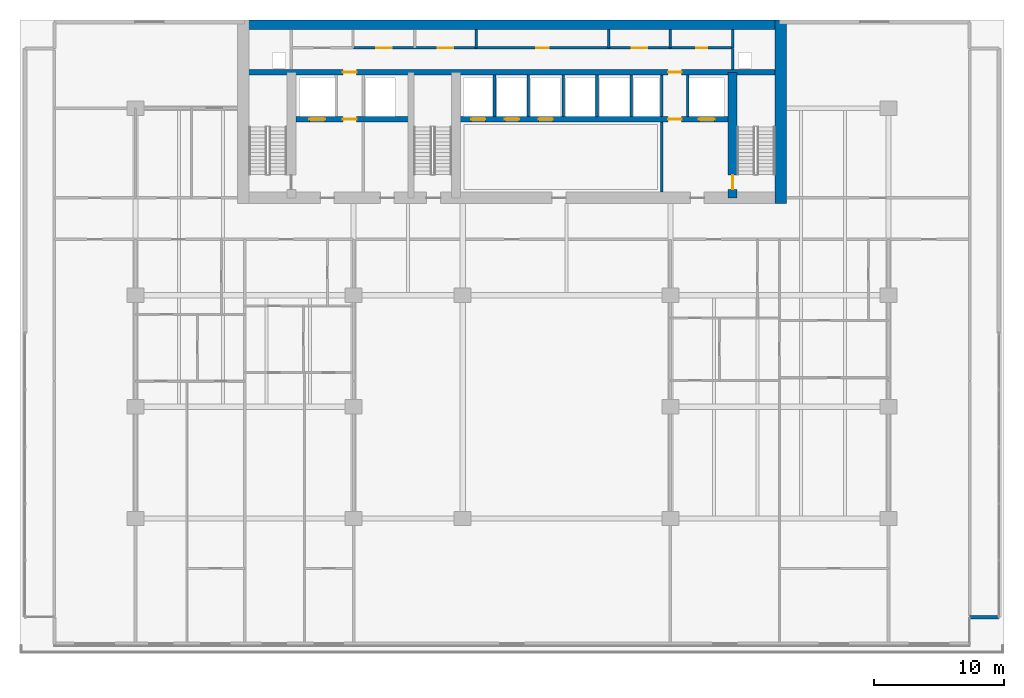
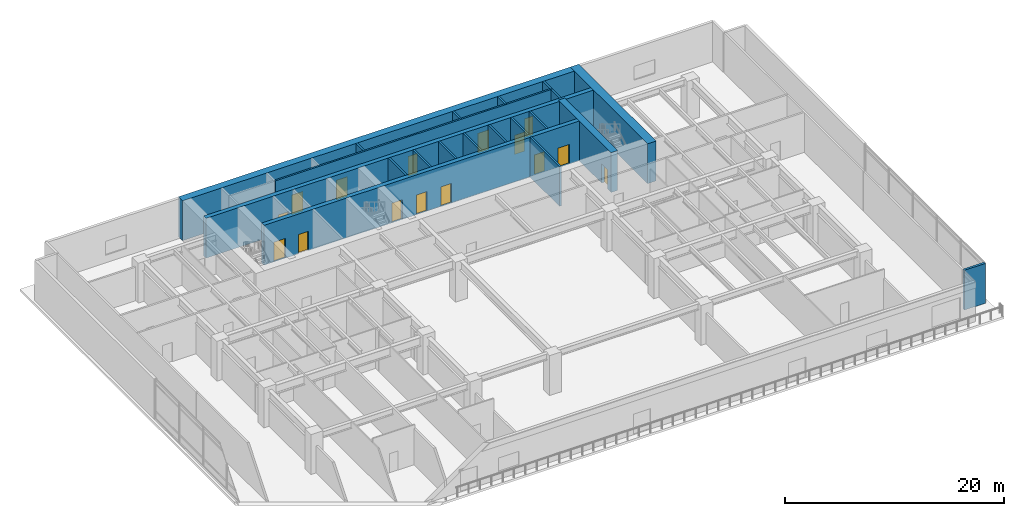
# One storey, part 9 of 13: 20 walls, 15 doors, 15 openings.
"""IFC4 building model written with IfcOpenShell, lengths in metres."""

from ifc_helpers import new_model, si_unit, direction, frame, frame_2d, origin, place, context, subcontext, project, spatial, rectangle, extrude, material, layer, layer_set, type_object, element, fill, save


model = new_model("IFC4")

# Units and contexts
model_context = context("Model", 3, precision=1e-05, world=origin(), true_north=direction((0.0, 1.0)))
body_context = subcontext(model_context, "Body", "Model", "MODEL_VIEW")
ifc_project = project(units=[si_unit("LENGTHUNIT", "METRE"), si_unit("AREAUNIT", "SQUARE_METRE"), si_unit("VOLUMEUNIT", "CUBIC_METRE"), si_unit("PLANEANGLEUNIT", "RADIAN"), si_unit("MASSUNIT", "GRAM", prefix="KILO")], contexts=[model_context])

# Site, building, storey
site_placement = place(None, origin())
site = spatial("IfcSite", under=ifc_project, at=site_placement, CompositionType="ELEMENT")
building_placement = place(site_placement, origin())
building = spatial("IfcBuilding", under=site, at=building_placement, Name="Caelmar Bay Residences", CompositionType="ELEMENT")
storey_placement = place(building_placement, frame((0.0, 0.0, 19.800048828125)))
storey = spatial("IfcBuildingStorey", under=building, at=storey_placement, Name="L04", CompositionType="ELEMENT", Elevation=19.800048828125)

# Wall, opening, door
ifc_material_1 = material(Name="Concrete f'c 55 MPa (8,000 psi)", Category="concrete")
ifc_layer_1 = layer(ifc_material_1, 0.699951171875)
ifc_layer_set_1 = layer_set([ifc_layer_1], Name="Concrete f'c 55 MPa (8,000 psi)")
wall_type_1 = type_object("IfcWallType", Name="SW-COR-700", PredefinedType="SHEAR", material=ifc_layer_set_1)
wall_1_placement = place(storey_placement, frame((55.89990234375, 36.89990234375, 0.0), z_axis=(0.0, 0.0, 1.0), x_axis=(0.0, 1.0, 0.0)))
wall_1 = element("IfcWall", 1, at=wall_1_placement, inside=storey, type_object=wall_type_1, Name="L04 Core Structural Web Wall ST2W", PredefinedType="SHEAR", context=body_context, shape_type="SweptSolid", body=[
    extrude(rectangle(XDim=9.675048828125, YDim=0.699951171875, at=frame_2d((4.83740234375, 0.0))), origin(), (0.0, 0.0, 1.0), 4.449951171875),
])
opening_1_placement = place(wall_1_placement, frame((0.64990234375, 0.0, 0.0)))
opening_1 = element("IfcOpeningElement", 2, at=opening_1_placement, cuts=wall_1, Name="Opening D-L04-111", PredefinedType="OPENING", context=body_context, shape_type="SweptSolid", body=[
    extrude(rectangle(XDim=1.10009765625, YDim=2.14990234375, at=frame_2d((0.550048828125, 1.074951171875))), frame((0.0, 0.35986328125, 0.0), z_axis=(0.0, -1.0, 0.0), x_axis=(1.0, 0.0, 0.0)), (0.0, 0.0, 1.0), 0.719970703125),
])
ifc_material_2 = material(Name="Fire-rated steel and walnut architectural door assembly", Category="steel")
ifc_layer_2 = layer(ifc_material_2, 0.050048828125)
ifc_layer_set_2 = layer_set([ifc_layer_2], Name="Fire-rated steel and walnut architectural door assembly")
door_type_1 = type_object("IfcDoorType", Name="D-STAIR-1100", OperationType="NOTDEFINED", PredefinedType="DOOR", material=ifc_layer_set_2)
door_1_placement = place(opening_1_placement, origin())
door_1 = element("IfcDoor", 3, at=door_1_placement, inside=storey, type_object=door_type_1, Name="L04 Firefighting Lobby East Door", OperationType="SINGLE_SWING_LEFT", OverallHeight=2.14990234375, OverallWidth=1.10009765625, PredefinedType="DOOR", context=body_context, shape_type="SweptSolid", body=[
    extrude(rectangle(XDim=1.10009765625, YDim=2.14990234375, at=frame_2d((0.550048828125, 1.074951171875))), frame((0.0, 0.02490234375, 0.0), z_axis=(0.0, -1.0, 0.0), x_axis=(1.0, 0.0, 0.0)), (0.0, 0.0, 1.0), 0.050048828125),
])
fill(opening_1, door_1)

# Walls
ifc_material_3 = material(Name="Concrete f'c 70 MPa (10,000 psi)", Category="concrete")
ifc_layer_3 = layer(ifc_material_3, 0.89990234375)
ifc_layer_set_3 = layer_set([ifc_layer_3], Name="Concrete f'c 70 MPa (10,000 psi)")
wall_type_2 = type_object("IfcWallType", Name="SW-COR-900", PredefinedType="SHEAR", material=ifc_layer_set_3)
wall_2_placement = place(storey_placement, frame((59.60009765625, 36.449951171875, 0.0), z_axis=(0.0, 0.0, 1.0), x_axis=(0.0, 1.0, 0.0)))
element("IfcWall", 4, at=wall_2_placement, inside=storey, type_object=wall_type_2, Name="L04 Rear Core East Shear Wall", PredefinedType="SHEAR", context=body_context, shape_type="SweptSolid", body=[
    extrude(rectangle(XDim=14.150146484375, YDim=0.89990234375, at=frame_2d((7.0751953125, 0.0))), origin(), (0.0, 0.0, 1.0), 4.449951171875),
])
ifc_layer_4 = layer(ifc_material_3, 0.75)
ifc_layer_set_4 = layer_set([ifc_layer_4], Name="Concrete f'c 70 MPa (10,000 psi)")
wall_type_3 = type_object("IfcWallType", Name="SW-CORN-750", PredefinedType="SHEAR", material=ifc_layer_set_4)
wall_3_placement = place(storey_placement, frame((17.75, 50.22509765625, 0.0), z_axis=(0.0, 0.0, 1.0), x_axis=(1.0, 0.0, 0.0)))
element("IfcWall", 5, at=wall_3_placement, inside=storey, type_object=wall_type_3, Name="L04 Rear Core North Shear Wall", PredefinedType="SHEAR", context=body_context, shape_type="SweptSolid", body=[
    extrude(rectangle(XDim=42.300048828125, YDim=0.75, at=frame_2d((21.14990234375, 0.0))), origin(), (0.0, 0.0, 1.0), 4.449951171875),
])

# Wall, openings, doors
ifc_layer_5 = layer(ifc_material_3, 0.449951171875)
ifc_layer_set_5 = layer_set([ifc_layer_5], Name="Concrete f'c 70 MPa (10,000 psi)")
wall_type_4 = type_object("IfcWallType", Name="SW-WEB-450", PredefinedType="SHEAR", material=ifc_layer_set_5)
wall_4_placement = place(storey_placement, frame((22.25, 42.949951171875, 0.0), z_axis=(0.0, 0.0, 1.0), x_axis=(1.0, 0.0, 0.0)))
wall_4 = element("IfcWall", 6, at=wall_4_placement, inside=storey, type_object=wall_type_4, Name="L04 Core Structural Web Wall LFR", PredefinedType="SHEAR", context=body_context, shape_type="SweptSolid", body=[
    extrude(rectangle(XDim=33.300048828125, YDim=0.449951171875, at=frame_2d((16.64990234375, 0.0))), origin(), (0.0, 0.0, 1.0), 4.449951171875),
])
opening_2_placement = place(wall_4_placement, frame((1.050048828125, 0.0, 0.0)))
opening_2 = element("IfcOpeningElement", 7, at=opening_2_placement, cuts=wall_4, Name="Opening LD2", PredefinedType="OPENING", context=body_context, shape_type="SweptSolid", body=[
    extrude(rectangle(XDim=1.199951171875, YDim=2.199951171875, at=frame_2d((0.60009765625, 1.10009765625))), frame((0.0, 0.23486328125, 0.0), z_axis=(0.0, -1.0, 0.0), x_axis=(1.0, 0.0, 0.0)), (0.0, 0.0, 1.0), 0.469970703125),
])
opening_3_placement = place(wall_4_placement, frame((31.050048828125, 0.0, 0.0)))
opening_3 = element("IfcOpeningElement", 8, at=opening_3_placement, cuts=wall_4, Name="Opening LD2", PredefinedType="OPENING", context=body_context, shape_type="SweptSolid", body=[
    extrude(rectangle(XDim=1.199951171875, YDim=2.199951171875, at=frame_2d((0.60009765625, 1.10009765625))), frame((0.0, 0.23486328125, 0.0), z_axis=(0.0, -1.0, 0.0), x_axis=(1.0, 0.0, 0.0)), (0.0, 0.0, 1.0), 0.469970703125),
])
opening_4_placement = place(wall_4_placement, frame((13.5, 0.0, 0.0)))
opening_4 = element("IfcOpeningElement", 9, at=opening_4_placement, cuts=wall_4, Name="Opening LD1", PredefinedType="OPENING", context=body_context, shape_type="SweptSolid", body=[
    extrude(rectangle(XDim=1.10009765625, YDim=2.199951171875, at=frame_2d((0.550048828125, 1.10009765625))), frame((0.0, 0.23486328125, 0.0), z_axis=(0.0, -1.0, 0.0), x_axis=(1.0, 0.0, 0.0)), (0.0, 0.0, 1.0), 0.469970703125),
])
opening_5_placement = place(wall_4_placement, frame((16.10009765625, 0.0, 0.0)))
opening_5 = element("IfcOpeningElement", 10, at=opening_5_placement, cuts=wall_4, Name="Opening LD1", PredefinedType="OPENING", context=body_context, shape_type="SweptSolid", body=[
    extrude(rectangle(XDim=1.10009765625, YDim=2.199951171875, at=frame_2d((0.550048828125, 1.10009765625))), frame((0.0, 0.23486328125, 0.0), z_axis=(0.0, -1.0, 0.0), x_axis=(1.0, 0.0, 0.0)), (0.0, 0.0, 1.0), 0.469970703125),
])
opening_6_placement = place(wall_4_placement, frame((18.699951171875, 0.0, 0.0)))
opening_6 = element("IfcOpeningElement", 11, at=opening_6_placement, cuts=wall_4, Name="Opening LD1", PredefinedType="OPENING", context=body_context, shape_type="SweptSolid", body=[
    extrude(rectangle(XDim=1.10009765625, YDim=2.199951171875, at=frame_2d((0.550048828125, 1.10009765625))), frame((0.0, 0.23486328125, 0.0), z_axis=(0.0, -1.0, 0.0), x_axis=(1.0, 0.0, 0.0)), (0.0, 0.0, 1.0), 0.469970703125),
])
opening_7_placement = place(wall_4_placement, frame((3.625, 0.0, 0.0)))
opening_7 = element("IfcOpeningElement", 12, at=opening_7_placement, cuts=wall_4, Name="Opening D-L04-109", PredefinedType="OPENING", context=body_context, shape_type="SweptSolid", body=[
    extrude(rectangle(XDim=1.050048828125, YDim=2.14990234375, at=frame_2d((0.52490234375, 1.074951171875))), frame((0.0, 0.23486328125, 0.0), z_axis=(0.0, -1.0, 0.0), x_axis=(1.0, 0.0, 0.0)), (0.0, 0.0, 1.0), 0.469970703125),
])
opening_8_placement = place(wall_4_placement, frame((28.675048828125, 0.0, 0.0)))
opening_8 = element("IfcOpeningElement", 13, at=opening_8_placement, cuts=wall_4, Name="Opening D-L04-112", PredefinedType="OPENING", context=body_context, shape_type="SweptSolid", body=[
    extrude(rectangle(XDim=1.050048828125, YDim=2.14990234375, at=frame_2d((0.52490234375, 1.074951171875))), frame((0.0, 0.23486328125, 0.0), z_axis=(0.0, -1.0, 0.0), x_axis=(1.0, 0.0, 0.0)), (0.0, 0.0, 1.0), 0.469970703125),
])
ifc_layer_6 = layer(ifc_material_2, 0.050048828125)
ifc_layer_set_6 = layer_set([ifc_layer_6], Name="Fire-rated steel and walnut architectural door assembly")
door_type_2 = type_object("IfcDoorType", Name="D-FSAE-1050", OperationType="NOTDEFINED", PredefinedType="DOOR", material=ifc_layer_set_6)
door_2_placement = place(opening_7_placement, origin())
door_2 = element("IfcDoor", 14, at=door_2_placement, inside=storey, type_object=door_type_2, Name="L04 Firefighting Lobby West Door", OperationType="SINGLE_SWING_LEFT", OverallHeight=2.14990234375, OverallWidth=1.050048828125, PredefinedType="DOOR", context=body_context, shape_type="SweptSolid", body=[
    extrude(rectangle(XDim=1.050048828125, YDim=2.14990234375, at=frame_2d((0.52490234375, 1.074951171875))), frame((0.0, 0.02490234375, 0.0), z_axis=(0.0, -1.0, 0.0), x_axis=(1.0, 0.0, 0.0)), (0.0, 0.0, 1.0), 0.050048828125),
])
fill(opening_7, door_2)
door_3_placement = place(opening_8_placement, origin())
door_3 = element("IfcDoor", 15, at=door_3_placement, inside=storey, type_object=door_type_2, Name="L04 Firefighting Lobby East Door", OperationType="SINGLE_SWING_RIGHT", OverallHeight=2.14990234375, OverallWidth=1.050048828125, PredefinedType="DOOR", context=body_context, shape_type="SweptSolid", body=[
    extrude(rectangle(XDim=1.050048828125, YDim=2.14990234375, at=frame_2d((0.52490234375, 1.074951171875))), frame((0.0, 0.02490234375, 0.0), z_axis=(0.0, -1.0, 0.0), x_axis=(1.0, 0.0, 0.0)), (0.0, 0.0, 1.0), 0.050048828125),
])
fill(opening_8, door_3)
ifc_material_4 = material(Name="Brushed bronze stainless-steel fire-rated lift landing doors", Category="steel")
ifc_layer_7 = layer(ifc_material_4, 0.050048828125)
ifc_layer_set_7 = layer_set([ifc_layer_7], Name="Brushed bronze stainless-steel fire-rated lift landing doors")
door_type_3 = type_object("IfcDoorType", Name="D-LND-1100", OperationType="DOUBLE_DOOR_SLIDING", PredefinedType="DOOR", material=ifc_layer_set_7)
door_4_placement = place(opening_4_placement, origin())
door_4 = element("IfcDoor", 16, at=door_4_placement, inside=storey, type_object=door_type_3, Name="L04 LP1 Sliding Landing Door", OperationType="DOUBLE_DOOR_SLIDING", OverallHeight=2.199951171875, OverallWidth=1.10009765625, PredefinedType="DOOR", context=body_context, shape_type="SweptSolid", body=[
    extrude(rectangle(XDim=1.10009765625, YDim=2.199951171875, at=frame_2d((0.550048828125, 1.10009765625))), frame((0.0, 0.02490234375, 0.0), z_axis=(0.0, -1.0, 0.0), x_axis=(1.0, 0.0, 0.0)), (0.0, 0.0, 1.0), 0.050048828125),
])
fill(opening_4, door_4)
door_5_placement = place(opening_5_placement, origin())
door_5 = element("IfcDoor", 17, at=door_5_placement, inside=storey, type_object=door_type_3, Name="L04 LP2 Sliding Landing Door", OperationType="DOUBLE_DOOR_SLIDING", OverallHeight=2.199951171875, OverallWidth=1.10009765625, PredefinedType="DOOR", context=body_context, shape_type="SweptSolid", body=[
    extrude(rectangle(XDim=1.10009765625, YDim=2.199951171875, at=frame_2d((0.550048828125, 1.10009765625))), frame((0.0, 0.02490234375, 0.0), z_axis=(0.0, -1.0, 0.0), x_axis=(1.0, 0.0, 0.0)), (0.0, 0.0, 1.0), 0.050048828125),
])
fill(opening_5, door_5)
door_6_placement = place(opening_6_placement, origin())
door_6 = element("IfcDoor", 18, at=door_6_placement, inside=storey, type_object=door_type_3, Name="L04 LP3 Sliding Landing Door", OperationType="DOUBLE_DOOR_SLIDING", OverallHeight=2.199951171875, OverallWidth=1.10009765625, PredefinedType="DOOR", context=body_context, shape_type="SweptSolid", body=[
    extrude(rectangle(XDim=1.10009765625, YDim=2.199951171875, at=frame_2d((0.550048828125, 1.10009765625))), frame((0.0, 0.02490234375, 0.0), z_axis=(0.0, -1.0, 0.0), x_axis=(1.0, 0.0, 0.0)), (0.0, 0.0, 1.0), 0.050048828125),
])
fill(opening_6, door_6)
ifc_material_5 = material(Name="Brushed stainless-steel FSAE sliding landing door", Category="steel")
ifc_layer_8 = layer(ifc_material_5, 0.050048828125)
ifc_layer_set_8 = layer_set([ifc_layer_8], Name="Brushed stainless-steel FSAE sliding landing door")
door_type_4 = type_object("IfcDoorType", Name="D-LND-1200", OperationType="DOUBLE_DOOR_SLIDING", PredefinedType="DOOR", material=ifc_layer_set_8)
door_7_placement = place(opening_2_placement, origin())
door_7 = element("IfcDoor", 19, at=door_7_placement, inside=storey, type_object=door_type_4, Name="L04 LF1 Sliding Landing Door", OperationType="DOUBLE_DOOR_SLIDING", OverallHeight=2.199951171875, OverallWidth=1.199951171875, PredefinedType="DOOR", context=body_context, shape_type="SweptSolid", body=[
    extrude(rectangle(XDim=1.199951171875, YDim=2.199951171875, at=frame_2d((0.60009765625, 1.10009765625))), frame((0.0, 0.02490234375, 0.0), z_axis=(0.0, -1.0, 0.0), x_axis=(1.0, 0.0, 0.0)), (0.0, 0.0, 1.0), 0.050048828125),
])
fill(opening_2, door_7)
door_8_placement = place(opening_3_placement, origin())
door_8 = element("IfcDoor", 20, at=door_8_placement, inside=storey, type_object=door_type_4, Name="L04 LF2 Sliding Landing Door", OperationType="DOUBLE_DOOR_SLIDING", OverallHeight=2.199951171875, OverallWidth=1.199951171875, PredefinedType="DOOR", context=body_context, shape_type="SweptSolid", body=[
    extrude(rectangle(XDim=1.199951171875, YDim=2.199951171875, at=frame_2d((0.60009765625, 1.10009765625))), frame((0.0, 0.02490234375, 0.0), z_axis=(0.0, -1.0, 0.0), x_axis=(1.0, 0.0, 0.0)), (0.0, 0.0, 1.0), 0.050048828125),
])
fill(opening_3, door_8)

wall_5_placement = place(storey_placement, frame((18.199951171875, 46.574951171875, 0.0), z_axis=(0.0, 0.0, 1.0), x_axis=(1.0, 0.0, 0.0)))
wall_5 = element("IfcWall", 21, at=wall_5_placement, inside=storey, type_object=wall_type_4, Name="L04 Core Structural Web Wall SRVS", PredefinedType="SHEAR", context=body_context, shape_type="SweptSolid", body=[
    extrude(rectangle(XDim=41.400146484375, YDim=0.449951171875, at=frame_2d((20.7001953125, 0.0))), origin(), (0.0, 0.0, 1.0), 4.449951171875),
])
opening_9_placement = place(wall_5_placement, frame((7.675048828125, 0.0, 0.0)))
opening_9 = element("IfcOpeningElement", 22, at=opening_9_placement, cuts=wall_5, Name="Opening D-L04-115", PredefinedType="OPENING", context=body_context, shape_type="SweptSolid", body=[
    extrude(rectangle(XDim=1.050048828125, YDim=2.14990234375, at=frame_2d((0.52490234375, 1.074951171875))), frame((0.0, 0.23486328125, 0.0), z_axis=(0.0, -1.0, 0.0), x_axis=(1.0, 0.0, 0.0)), (0.0, 0.0, 1.0), 0.469970703125),
])
opening_10_placement = place(wall_5_placement, frame((32.72509765625, 0.0, 0.0)))
opening_10 = element("IfcOpeningElement", 23, at=opening_10_placement, cuts=wall_5, Name="Opening D-L04-116", PredefinedType="OPENING", context=body_context, shape_type="SweptSolid", body=[
    extrude(rectangle(XDim=1.050048828125, YDim=2.14990234375, at=frame_2d((0.52490234375, 1.074951171875))), frame((0.0, 0.23486328125, 0.0), z_axis=(0.0, -1.0, 0.0), x_axis=(1.0, 0.0, 0.0)), (0.0, 0.0, 1.0), 0.469970703125),
])
door_9_placement = place(opening_9_placement, origin())
door_9 = element("IfcDoor", 24, at=door_9_placement, inside=storey, type_object=door_type_2, Name="L04 Core Service Corridor Door", OperationType="SINGLE_SWING_LEFT", OverallHeight=2.14990234375, OverallWidth=1.050048828125, PredefinedType="DOOR", context=body_context, shape_type="SweptSolid", body=[
    extrude(rectangle(XDim=1.050048828125, YDim=2.14990234375, at=frame_2d((0.52490234375, 1.074951171875))), frame((0.0, 0.02490234375, 0.0), z_axis=(0.0, -1.0, 0.0), x_axis=(1.0, 0.0, 0.0)), (0.0, 0.0, 1.0), 0.050048828125),
])
fill(opening_9, door_9)
door_10_placement = place(opening_10_placement, origin())
door_10 = element("IfcDoor", 25, at=door_10_placement, inside=storey, type_object=door_type_2, Name="L04 Core Service Corridor Door", OperationType="SINGLE_SWING_RIGHT", OverallHeight=2.14990234375, OverallWidth=1.050048828125, PredefinedType="DOOR", context=body_context, shape_type="SweptSolid", body=[
    extrude(rectangle(XDim=1.050048828125, YDim=2.14990234375, at=frame_2d((0.52490234375, 1.074951171875))), frame((0.0, 0.02490234375, 0.0), z_axis=(0.0, -1.0, 0.0), x_axis=(1.0, 0.0, 0.0)), (0.0, 0.0, 1.0), 0.050048828125),
])
fill(opening_10, door_10)

# Walls
ifc_material_6 = material(Name="Double-stud acoustic fire-rated gypsum partition 180 mm")
ifc_layer_9 = layer(ifc_material_6, 0.179931640625)
ifc_layer_set_9 = layer_set([ifc_layer_9], Name="Double-stud acoustic fire-rated gypsum partition 180 mm")
wall_type_5 = type_object("IfcWallType", Name="W-COR-200", PredefinedType="PARTITIONING", material=ifc_layer_set_9)
for number, where, z_axis, x_axis, name in (
    (26, (36.14990234375, 48.449951171875, 0.0), (0.0, 0.0, 1.0), (0.0, 1.0, 0.0), "L04 Partition Wall V025"),
    (27, (46.35009765625, 48.449951171875, 0.0), (0.0, 0.0, 1.0), (0.0, 1.0, 0.0), "L04 Partition Wall V030"),
    (28, (51.10009765625, 48.449951171875, 0.0), (0.0, 0.0, 1.0), (0.0, 1.0, 0.0), "L04 Partition Wall V036"),
):
    element("IfcWall", number, at=place(storey_placement, frame(where, z_axis=z_axis, x_axis=x_axis)), inside=storey, type_object=wall_type_5, Name=name, PredefinedType="PARTITIONING", context=body_context, shape_type="SweptSolid", body=[
        extrude(rectangle(XDim=1.405029296875, YDim=0.179931640625, at=frame_2d((0.70263671875, 0.0))), origin(), (0.0, 0.0, 1.0), 4.449951171875),
    ])

# Wall, openings, doors
wall_6_placement = place(storey_placement, frame((26.699951171875, 48.449951171875, 0.0), z_axis=(0.0, 0.0, 1.0), x_axis=(1.0, 0.0, 0.0)))
wall_6 = element("IfcWall", 29, at=wall_6_placement, inside=storey, type_object=wall_type_5, Name="L04 Partition Wall H066", PredefinedType="PARTITIONING", context=body_context, shape_type="SweptSolid", body=[
    extrude(rectangle(XDim=29.199951171875, YDim=0.179931640625, at=frame_2d((14.60009765625, 0.0))), origin(), (0.0, 0.0, 1.0), 4.449951171875),
])
opening_11_placement = place(wall_6_placement, frame((1.75, 0.0, 0.0)))
opening_11 = element("IfcOpeningElement", 30, at=opening_11_placement, cuts=wall_6, Name="Opening D-L04-118", PredefinedType="OPENING", context=body_context, shape_type="SweptSolid", body=[
    extrude(rectangle(XDim=1.199951171875, YDim=2.199951171875, at=frame_2d((0.60009765625, 1.10009765625))), frame((0.0, 0.099853515625, 0.0), z_axis=(0.0, -1.0, 0.0), x_axis=(1.0, 0.0, 0.0)), (0.0, 0.0, 1.0), 0.199951171875),
])
opening_12_placement = place(wall_6_placement, frame((6.47509765625, 0.0, 0.0)))
opening_12 = element("IfcOpeningElement", 31, at=opening_12_placement, cuts=wall_6, Name="Opening D-L04-119", PredefinedType="OPENING", context=body_context, shape_type="SweptSolid", body=[
    extrude(rectangle(XDim=1.199951171875, YDim=2.199951171875, at=frame_2d((0.60009765625, 1.10009765625))), frame((0.0, 0.099853515625, 0.0), z_axis=(0.0, -1.0, 0.0), x_axis=(1.0, 0.0, 0.0)), (0.0, 0.0, 1.0), 0.199951171875),
])
opening_13_placement = place(wall_6_placement, frame((14.050048828125, 0.0, 0.0)))
opening_13 = element("IfcOpeningElement", 32, at=opening_13_placement, cuts=wall_6, Name="Opening D-L04-120", PredefinedType="OPENING", context=body_context, shape_type="SweptSolid", body=[
    extrude(rectangle(XDim=1.0, YDim=2.199951171875, at=frame_2d((0.5, 1.10009765625))), frame((0.0, 0.099853515625, 0.0), z_axis=(0.0, -1.0, 0.0), x_axis=(1.0, 0.0, 0.0)), (0.0, 0.0, 1.0), 0.199951171875),
])
opening_14_placement = place(wall_6_placement, frame((21.425048828125, 0.0, 0.0)))
opening_14 = element("IfcOpeningElement", 33, at=opening_14_placement, cuts=wall_6, Name="Opening D-L04-121", PredefinedType="OPENING", context=body_context, shape_type="SweptSolid", body=[
    extrude(rectangle(XDim=1.199951171875, YDim=2.199951171875, at=frame_2d((0.60009765625, 1.10009765625))), frame((0.0, 0.099853515625, 0.0), z_axis=(0.0, -1.0, 0.0), x_axis=(1.0, 0.0, 0.0)), (0.0, 0.0, 1.0), 0.199951171875),
])
opening_15_placement = place(wall_6_placement, frame((26.375, 0.0, 0.0)))
opening_15 = element("IfcOpeningElement", 34, at=opening_15_placement, cuts=wall_6, Name="Opening D-L04-122", PredefinedType="OPENING", context=body_context, shape_type="SweptSolid", body=[
    extrude(rectangle(XDim=0.85009765625, YDim=2.10009765625, at=frame_2d((0.425048828125, 1.050048828125))), frame((0.0, 0.099853515625, 0.0), z_axis=(0.0, -1.0, 0.0), x_axis=(1.0, 0.0, 0.0)), (0.0, 0.0, 1.0), 0.199951171875),
])
ifc_layer_10 = layer(ifc_material_2, 0.050048828125)
ifc_layer_set_10 = layer_set([ifc_layer_10], Name="Fire-rated steel and walnut architectural door assembly")
door_type_5 = type_object("IfcDoorType", Name="D-CORE-850", OperationType="NOTDEFINED", PredefinedType="DOOR", material=ifc_layer_set_10)
door_11_placement = place(opening_15_placement, origin())
door_11 = element("IfcDoor", 35, at=door_11_placement, inside=storey, type_object=door_type_5, Name="L04 Staff Restroom Door", OperationType="SINGLE_SWING_RIGHT", OverallHeight=2.10009765625, OverallWidth=0.85009765625, PredefinedType="DOOR", context=body_context, shape_type="SweptSolid", body=[
    extrude(rectangle(XDim=0.85009765625, YDim=2.10009765625, at=frame_2d((0.425048828125, 1.050048828125))), frame((0.0, 0.02490234375, 0.0), z_axis=(0.0, -1.0, 0.0), x_axis=(1.0, 0.0, 0.0)), (0.0, 0.0, 1.0), 0.050048828125),
])
fill(opening_15, door_11)
ifc_layer_11 = layer(ifc_material_2, 0.050048828125)
ifc_layer_set_11 = layer_set([ifc_layer_11], Name="Fire-rated steel and walnut architectural door assembly")
door_type_6 = type_object("IfcDoorType", Name="D-PLANT-1200", OperationType="NOTDEFINED", PredefinedType="DOOR", material=ifc_layer_set_11)
door_12_placement = place(opening_11_placement, origin())
door_12 = element("IfcDoor", 36, at=door_12_placement, inside=storey, type_object=door_type_6, Name="L04 Water Meter Closet Door", OperationType="SINGLE_SWING_RIGHT", OverallHeight=2.199951171875, OverallWidth=1.199951171875, PredefinedType="DOOR", context=body_context, shape_type="SweptSolid", body=[
    extrude(rectangle(XDim=1.199951171875, YDim=2.199951171875, at=frame_2d((0.60009765625, 1.10009765625))), frame((0.0, 0.02490234375, 0.0), z_axis=(0.0, -1.0, 0.0), x_axis=(1.0, 0.0, 0.0)), (0.0, 0.0, 1.0), 0.050048828125),
])
fill(opening_11, door_12)
door_13_placement = place(opening_12_placement, origin())
door_13 = element("IfcDoor", 37, at=door_13_placement, inside=storey, type_object=door_type_6, Name="L04 Low-Voltage Data Closet Door", OperationType="SINGLE_SWING_LEFT", OverallHeight=2.199951171875, OverallWidth=1.199951171875, PredefinedType="DOOR", context=body_context, shape_type="SweptSolid", body=[
    extrude(rectangle(XDim=1.199951171875, YDim=2.199951171875, at=frame_2d((0.60009765625, 1.10009765625))), frame((0.0, 0.02490234375, 0.0), z_axis=(0.0, -1.0, 0.0), x_axis=(1.0, 0.0, 0.0)), (0.0, 0.0, 1.0), 0.050048828125),
])
fill(opening_12, door_13)
door_14_placement = place(opening_14_placement, origin())
door_14 = element("IfcDoor", 38, at=door_14_placement, inside=storey, type_object=door_type_6, Name="L04 Valet Trunk Closet Door", OperationType="SINGLE_SWING_LEFT", OverallHeight=2.199951171875, OverallWidth=1.199951171875, PredefinedType="DOOR", context=body_context, shape_type="SweptSolid", body=[
    extrude(rectangle(XDim=1.199951171875, YDim=2.199951171875, at=frame_2d((0.60009765625, 1.10009765625))), frame((0.0, 0.02490234375, 0.0), z_axis=(0.0, -1.0, 0.0), x_axis=(1.0, 0.0, 0.0)), (0.0, 0.0, 1.0), 0.050048828125),
])
fill(opening_14, door_14)
ifc_layer_12 = layer(ifc_material_2, 0.050048828125)
ifc_layer_set_12 = layer_set([ifc_layer_12], Name="Fire-rated steel and walnut architectural door assembly")
door_type_7 = type_object("IfcDoorType", Name="D-UNIT-1000", OperationType="NOTDEFINED", PredefinedType="DOOR", material=ifc_layer_set_12)
door_15_placement = place(opening_13_placement, origin())
door_15 = element("IfcDoor", 39, at=door_15_placement, inside=storey, type_object=door_type_7, Name="L04 Mail Sorting Office Door", OperationType="SINGLE_SWING_RIGHT", OverallHeight=2.199951171875, OverallWidth=1.0, PredefinedType="DOOR", context=body_context, shape_type="SweptSolid", body=[
    extrude(rectangle(XDim=1.0, YDim=2.199951171875, at=frame_2d((0.5, 1.10009765625))), frame((0.0, 0.02490234375, 0.0), z_axis=(0.0, -1.0, 0.0), x_axis=(1.0, 0.0, 0.0)), (0.0, 0.0, 1.0), 0.050048828125),
])
fill(opening_13, door_15)

# Walls
ifc_material_7 = material(Name="Precast concrete f'c 40 MPa (6,000 psi)", Category="concrete")
ifc_layer_13 = layer(ifc_material_7, 0.25)
ifc_layer_set_13 = layer_set([ifc_layer_13], Name="Precast concrete f'c 40 MPa (6,000 psi)")
wall_type_6 = type_object("IfcWallType", Name="W-EXT-250", PredefinedType="ELEMENTEDWALL", material=ifc_layer_set_13)
wall_7_placement = place(storey_placement, frame((74.14990234375, 4.60009765625, 0.0), z_axis=(0.0, 0.0, 1.0), x_axis=(1.0, 0.0, 0.0)))
element("IfcWall", 40, at=wall_7_placement, inside=storey, type_object=wall_type_6, Name="L04 SE Notch Return Wall", PredefinedType="ELEMENTEDWALL", context=body_context, shape_type="SweptSolid", body=[
    extrude(rectangle(XDim=2.25, YDim=0.25, at=frame_2d((1.125, 0.0))), origin(), (0.0, 0.0, 1.0), 4.449951171875),
])
ifc_material_8 = material(Name="Fire-rated masonry and gypsum shaftliner assembly 200 mm", Category="masonry")
ifc_layer_14 = layer(ifc_material_8, 0.199951171875)
ifc_layer_set_14 = layer_set([ifc_layer_14], Name="Fire-rated masonry and gypsum shaftliner assembly 200 mm")
wall_type_7 = type_object("IfcWallType", Name="W-FSAE-200", PredefinedType="PARTITIONING", material=ifc_layer_set_14)
for number, where, z_axis, x_axis, name in (
    (41, (37.550048828125, 43.169921875, 0.0), (0.0, 0.0, 1.0), (0.0, 1.0, 0.0), "L04 Partition Wall V026"),
    (42, (40.14990234375, 43.169921875, 0.0), (0.0, 0.0, 1.0), (0.0, 1.0, 0.0), "L04 Partition Wall V027"),
    (43, (42.85009765625, 43.169921875, 0.0), (0.0, 0.0, 1.0), (0.0, 1.0, 0.0), "L04 Partition Wall V028"),
    (44, (45.449951171875, 43.169921875, 0.0), (0.0, 0.0, 1.0), (0.0, 1.0, 0.0), "L04 Partition Wall V029"),
    (45, (48.10009765625, 43.169921875, 0.0), (0.0, 0.0, 1.0), (0.0, 1.0, 0.0), "L04 Partition Wall V031"),
):
    element("IfcWall", number, at=place(storey_placement, frame(where, z_axis=z_axis, x_axis=x_axis)), inside=storey, type_object=wall_type_7, Name=name, PredefinedType="PARTITIONING", context=body_context, shape_type="SweptSolid", body=[
        extrude(rectangle(XDim=3.18505859375, YDim=0.199951171875, at=frame_2d((1.592529296875, 0.0))), origin(), (0.0, 0.0, 1.0), 4.449951171875),
    ])
wall_8_placement = place(storey_placement, frame((50.449951171875, 37.344970703125, 0.0), z_axis=(0.0, 0.0, 1.0), x_axis=(0.0, 1.0, 0.0)))
element("IfcWall", 46, at=wall_8_placement, inside=storey, type_object=wall_type_7, Name="L04 Partition Wall V032", PredefinedType="PARTITIONING", context=body_context, shape_type="SweptSolid", body=[
    extrude(rectangle(XDim=5.385009765625, YDim=0.199951171875, at=frame_2d((2.6923828125, 0.0))), origin(), (0.0, 0.0, 1.0), 4.449951171875),
])
for number, where, z_axis, x_axis, name in (
    (47, (50.449951171875, 43.169921875, 0.0), (0.0, 0.0, 1.0), (0.0, 1.0, 0.0), "L04 Partition Wall V033"),
    (48, (52.449951171875, 43.169921875, 0.0), (0.0, 0.0, 1.0), (0.0, 1.0, 0.0), "L04 Partition Wall V037"),
):
    element("IfcWall", number, at=place(storey_placement, frame(where, z_axis=z_axis, x_axis=x_axis)), inside=storey, type_object=wall_type_7, Name=name, PredefinedType="PARTITIONING", context=body_context, shape_type="SweptSolid", body=[
        extrude(rectangle(XDim=3.18505859375, YDim=0.199951171875, at=frame_2d((1.592529296875, 0.0))), origin(), (0.0, 0.0, 1.0), 4.449951171875),
    ])
wall_9_placement = place(storey_placement, frame((55.89990234375, 46.794921875, 0.0), z_axis=(0.0, 0.0, 1.0), x_axis=(0.0, 1.0, 0.0)))
element("IfcWall", 49, at=wall_9_placement, inside=storey, type_object=wall_type_7, Name="L04 Partition Wall V039", PredefinedType="PARTITIONING", context=body_context, shape_type="SweptSolid", body=[
    extrude(rectangle(XDim=1.60498046875, YDim=0.199951171875, at=frame_2d((0.802490234375, 0.0))), origin(), (0.0, 0.0, 1.0), 4.449951171875),
])
wall_10_placement = place(storey_placement, frame((55.89990234375, 48.449951171875, 0.0), z_axis=(0.0, 0.0, 1.0), x_axis=(0.0, 1.0, 0.0)))
element("IfcWall", 50, at=wall_10_placement, inside=storey, type_object=wall_type_7, Name="L04 Partition Wall V040", PredefinedType="PARTITIONING", context=body_context, shape_type="SweptSolid", body=[
    extrude(rectangle(XDim=1.405029296875, YDim=0.199951171875, at=frame_2d((0.70263671875, 0.0))), origin(), (0.0, 0.0, 1.0), 4.449951171875),
])

save(model, "model.ifc")
